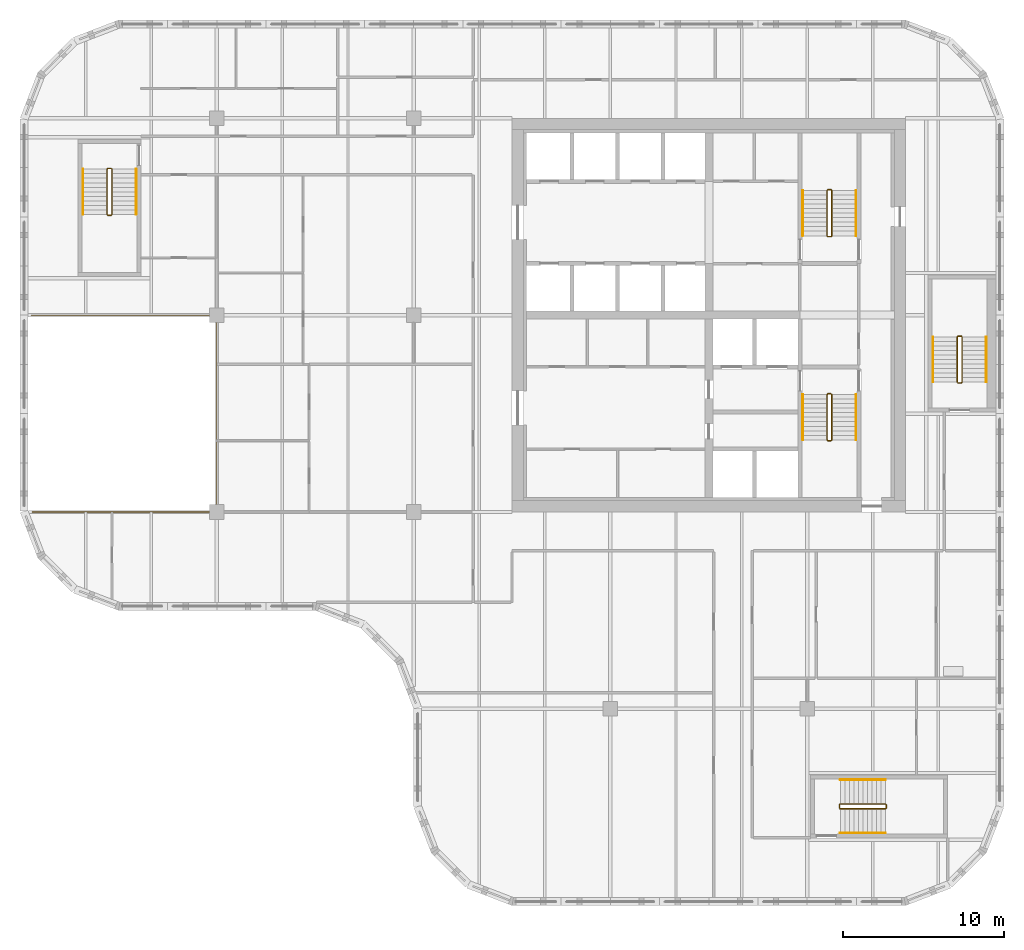
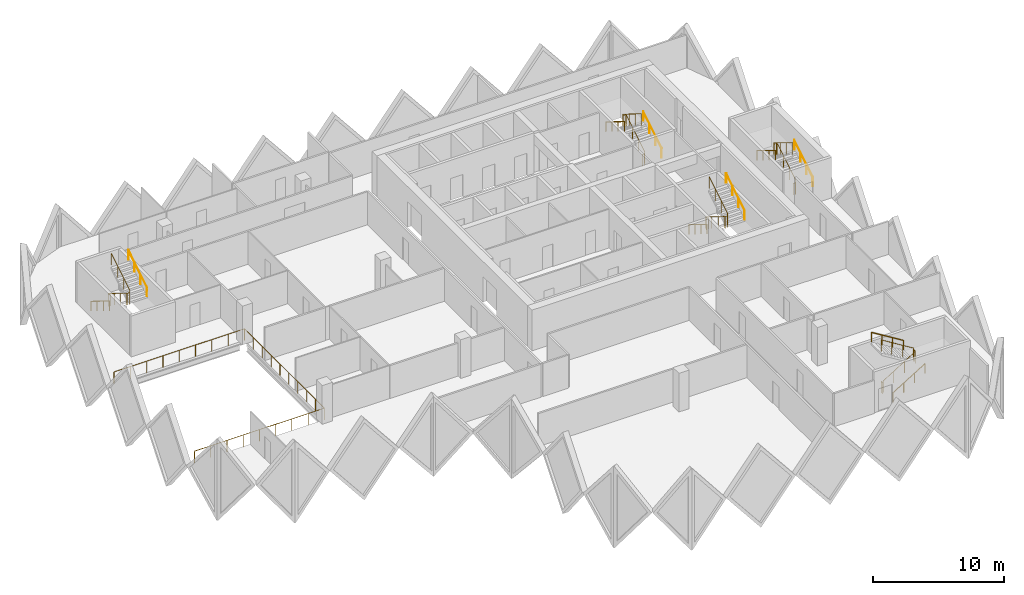
# One storey, part 11 of 12: 16 railings.
"""IFC4 building model written with IfcOpenShell, lengths in metres."""

from ifc_helpers import new_model, si_unit, direction, frame, origin, origin_2d, place, context, subcontext, project, spatial, circle, extrude, material, type_object, element, save


model = new_model("IFC4")

# Units and contexts
model_context = context("Model", 3, precision=1e-05, world=origin(), true_north=direction((0.0, 1.0)))
body_context = subcontext(model_context, "Body", "Model", "MODEL_VIEW")
ifc_project = project(units=[si_unit("LENGTHUNIT", "METRE"), si_unit("AREAUNIT", "SQUARE_METRE"), si_unit("VOLUMEUNIT", "CUBIC_METRE"), si_unit("PLANEANGLEUNIT", "RADIAN"), si_unit("MASSUNIT", "GRAM", prefix="KILO")], contexts=[model_context])

# Site, building, storey
site_placement = place(None, origin())
site = spatial("IfcSite", under=ifc_project, at=site_placement, CompositionType="ELEMENT")
building_placement = place(site_placement, origin())
building = spatial("IfcBuilding", under=site, at=building_placement, Name="Tessera Gate Towers", CompositionType="ELEMENT")
storey_placement = place(building_placement, frame((0.0, 0.0, 127.800048828125)))
storey = spatial("IfcBuildingStorey", under=building, at=storey_placement, Name="L31", CompositionType="ELEMENT", Elevation=127.800048828125)

# Railings
ifc_material_1 = material(Name="Toughened glass with stainless steel handrail", Category="steel")
railing_type_1 = type_object("IfcRailingType", Name="GUARD 1100 GLASS BALUSTRADE", PredefinedType="GUARDRAIL", material=ifc_material_1)
railing_1_placement = place(storey_placement, frame((0.750244140625, 24.39990234375, 0.0)))
element("IfcRailing", 1, at=railing_1_placement, inside=storey, type_object=railing_type_1, Name="Guard", PredefinedType="GUARDRAIL", context=body_context, shape_type="SweptSolid", body=[
    extrude(circle(Radius=0.02490234375, at=origin_2d()), frame((0.0, 0.0, 1.0751953125), z_axis=(1.0, 0.0, 0.0), x_axis=(0.0, 1.0, 0.0)), (0.0, 0.0, 1.0), 11.44970703125),
    extrude(circle(Radius=0.02490234375, at=origin_2d()), frame((11.44970703125, 0.0, 1.0751953125), z_axis=(0.0, 1.0, 0.0), x_axis=(-1.0, 0.0, 0.0)), (0.0, 0.0, 1.0), 12.2001953125),
    extrude(circle(Radius=0.02490234375, at=origin_2d()), frame((11.44970703125, 12.2001953125, 1.0751953125), z_axis=(-1.0, 0.0, 0.0), x_axis=(0.0, -1.0, 0.0)), (0.0, 0.0, 1.0), 11.5),
    extrude(circle(Radius=0.02490234375, at=origin_2d()), origin(), (0.0, 0.0, 1.0), 1.050048828125),
    extrude(circle(Radius=0.02490234375, at=origin_2d()), frame((1.43115234375, 0.0, 0.0)), (0.0, 0.0, 1.0), 1.050048828125),
    extrude(circle(Radius=0.02490234375, at=origin_2d()), frame((2.8623046875, 0.0, 0.0)), (0.0, 0.0, 1.0), 1.050048828125),
    extrude(circle(Radius=0.02490234375, at=origin_2d()), frame((4.293701171875, 0.0, 0.0)), (0.0, 0.0, 1.0), 1.050048828125),
    extrude(circle(Radius=0.02490234375, at=origin_2d()), frame((5.724853515625, 0.0, 0.0)), (0.0, 0.0, 1.0), 1.050048828125),
    extrude(circle(Radius=0.02490234375, at=origin_2d()), frame((7.156005859375, 0.0, 0.0)), (0.0, 0.0, 1.0), 1.050048828125),
    extrude(circle(Radius=0.02490234375, at=origin_2d()), frame((8.58740234375, 0.0, 0.0)), (0.0, 0.0, 1.0), 1.050048828125),
    extrude(circle(Radius=0.02490234375, at=origin_2d()), frame((10.0185546875, 0.0, 0.0)), (0.0, 0.0, 1.0), 1.050048828125),
    extrude(circle(Radius=0.02490234375, at=origin_2d()), frame((11.44970703125, 0.0, 0.0)), (0.0, 0.0, 1.0), 1.050048828125),
    extrude(circle(Radius=0.02490234375, at=origin_2d()), frame((11.44970703125, 1.35546875, 0.0)), (0.0, 0.0, 1.0), 1.050048828125),
    extrude(circle(Radius=0.02490234375, at=origin_2d()), frame((11.44970703125, 2.711181640625, 0.0)), (0.0, 0.0, 1.0), 1.050048828125),
    extrude(circle(Radius=0.02490234375, at=origin_2d()), frame((11.44970703125, 4.066650390625, 0.0)), (0.0, 0.0, 1.0), 1.050048828125),
    extrude(circle(Radius=0.02490234375, at=origin_2d()), frame((11.44970703125, 5.42236328125, 0.0)), (0.0, 0.0, 1.0), 1.050048828125),
    extrude(circle(Radius=0.02490234375, at=origin_2d()), frame((11.44970703125, 6.77783203125, 0.0)), (0.0, 0.0, 1.0), 1.050048828125),
    extrude(circle(Radius=0.02490234375, at=origin_2d()), frame((11.44970703125, 8.133544921875, 0.0)), (0.0, 0.0, 1.0), 1.050048828125),
    extrude(circle(Radius=0.02490234375, at=origin_2d()), frame((11.44970703125, 9.489013671875, 0.0)), (0.0, 0.0, 1.0), 1.050048828125),
    extrude(circle(Radius=0.02490234375, at=origin_2d()), frame((11.44970703125, 10.8447265625, 0.0)), (0.0, 0.0, 1.0), 1.050048828125),
    extrude(circle(Radius=0.02490234375, at=origin_2d()), frame((11.44970703125, 12.2001953125, 0.0)), (0.0, 0.0, 1.0), 1.050048828125),
    extrude(circle(Radius=0.02490234375, at=origin_2d()), frame((10.01220703125, 12.2001953125, 0.0)), (0.0, 0.0, 1.0), 1.050048828125),
    extrude(circle(Radius=0.02490234375, at=origin_2d()), frame((8.57470703125, 12.2001953125, 0.0)), (0.0, 0.0, 1.0), 1.050048828125),
    extrude(circle(Radius=0.02490234375, at=origin_2d()), frame((7.13720703125, 12.2001953125, 0.0)), (0.0, 0.0, 1.0), 1.050048828125),
    extrude(circle(Radius=0.02490234375, at=origin_2d()), frame((5.69970703125, 12.2001953125, 0.0)), (0.0, 0.0, 1.0), 1.050048828125),
    extrude(circle(Radius=0.02490234375, at=origin_2d()), frame((4.26220703125, 12.2001953125, 0.0)), (0.0, 0.0, 1.0), 1.050048828125),
    extrude(circle(Radius=0.02490234375, at=origin_2d()), frame((2.82470703125, 12.2001953125, 0.0)), (0.0, 0.0, 1.0), 1.050048828125),
    extrude(circle(Radius=0.02490234375, at=origin_2d()), frame((1.38720703125, 12.2001953125, 0.0)), (0.0, 0.0, 1.0), 1.050048828125),
    extrude(circle(Radius=0.02490234375, at=origin_2d()), frame((-0.05029296875, 12.2001953125, 0.0)), (0.0, 0.0, 1.0), 1.050048828125),
])
ifc_material_2 = material(Name="Steel 350W", Category="steel")
railing_type_2 = type_object("IfcRailingType", Name="STAIR GUARD 1100", PredefinedType="GUARDRAIL", material=ifc_material_2)
railing_2_placement = place(storey_placement, frame((50.27490234375, 31.72509765625, 0.0)))
element("IfcRailing", 2, at=railing_2_placement, inside=storey, type_object=railing_type_2, Name="L31 ST1 stair guard 1", PredefinedType="GUARDRAIL", context=body_context, shape_type="SweptSolid", body=[
    extrude(circle(Radius=0.02392578125, at=origin_2d()), frame((0.0, 0.0, 1.076171875), z_axis=(-1.0, 0.0, 0.0), x_axis=(0.0, -1.0, 0.0)), (0.0, 0.0, 1.0), 0.199951171875),
    extrude(circle(Radius=0.02392578125, at=origin_2d()), frame((-0.199951171875, 0.0, 1.076171875), z_axis=(-0.268277960024, -0.268277960024, 0.925231793839), x_axis=(0.707106781187, -0.707106781187, 0.0)), (0.0, 0.0, 1.0), 0.1865234375),
    extrude(circle(Radius=0.02392578125, at=origin_2d()), frame((-0.25, -0.050048828125, 1.24853515625), z_axis=(0.0, -0.851089632645, 0.525020415988), x_axis=(1.0, 0.0, 0.0)), (0.0, 0.0, 1.0), 3.2900390625),
    extrude(circle(Radius=0.02392578125, at=origin_2d()), frame((-0.25, -2.85009765625, 2.97607421875), z_axis=(0.707106781187, -0.707106781187, 0.0), x_axis=(0.707106781187, 0.707106781187, 0.0)), (0.0, 0.0, 1.0), 0.07080078125),
    extrude(circle(Radius=0.02392578125, at=origin_2d()), frame((-0.199951171875, -2.900146484375, 2.97607421875), z_axis=(1.0, 0.0, 0.0), x_axis=(0.0, 1.0, 0.0)), (0.0, 0.0, 1.0), 0.199951171875),
    extrude(circle(Radius=0.02392578125, at=origin_2d()), frame((0.0, -2.900146484375, 2.97607421875), z_axis=(0.267953482034, 0.267953482034, 0.925419830635), x_axis=(-0.707106781187, 0.707106781187, 0.0)), (0.0, 0.0, 1.0), 0.186767578125),
    extrude(circle(Radius=0.02392578125, at=origin_2d()), frame((0.050048828125, -2.85009765625, 3.14892578125), z_axis=(0.0, 0.851089632645, 0.525020415988), x_axis=(-1.0, 0.0, 0.0)), (0.0, 0.0, 1.0), 3.2900390625),
    extrude(circle(Radius=0.02099609375, at=origin_2d()), origin(), (0.0, 0.0, 1.0), 1.052001953125),
    extrude(circle(Radius=0.02099609375, at=origin_2d()), frame((-0.199951171875, 0.0, 0.0)), (0.0, 0.0, 1.0), 1.052001953125),
    extrude(circle(Radius=0.02099609375, at=origin_2d()), frame((-0.25, -0.050048828125, 0.172607421875)), (0.0, 0.0, 1.0), 1.052001953125),
    extrude(circle(Radius=0.02099609375, at=origin_2d()), frame((-0.25, -0.9833984375, 0.748291015625)), (0.0, 0.0, 1.0), 1.052001953125),
    extrude(circle(Radius=0.02099609375, at=origin_2d()), frame((-0.25, -1.916748046875, 1.32421875)), (0.0, 0.0, 1.0), 1.052001953125),
    extrude(circle(Radius=0.02099609375, at=origin_2d()), frame((-0.25, -2.85009765625, 1.89990234375)), (0.0, 0.0, 1.0), 1.052001953125),
    extrude(circle(Radius=0.02099609375, at=origin_2d()), frame((-0.199951171875, -2.900146484375, 1.89990234375)), (0.0, 0.0, 1.0), 1.052001953125),
    extrude(circle(Radius=0.02099609375, at=origin_2d()), frame((0.0, -2.900146484375, 1.89990234375)), (0.0, 0.0, 1.0), 1.052001953125),
    extrude(circle(Radius=0.02099609375, at=origin_2d()), frame((0.050048828125, -2.85009765625, 2.07275390625)), (0.0, 0.0, 1.0), 1.052001953125),
    extrude(circle(Radius=0.02099609375, at=origin_2d()), frame((0.050048828125, -1.916748046875, 2.6484375)), (0.0, 0.0, 1.0), 1.052001953125),
    extrude(circle(Radius=0.02099609375, at=origin_2d()), frame((0.050048828125, -0.9833984375, 3.224365234375)), (0.0, 0.0, 1.0), 1.052001953125),
    extrude(circle(Radius=0.02099609375, at=origin_2d()), frame((0.050048828125, -0.050048828125, 3.800048828125)), (0.0, 0.0, 1.0), 1.052001953125),
])
railing_3_placement = place(storey_placement, frame((50.074951171875, 41.47509765625, 0.0)))
element("IfcRailing", 3, at=railing_3_placement, inside=storey, type_object=railing_type_2, Name="L31 ST2 stair guard 1", PredefinedType="GUARDRAIL", context=body_context, shape_type="SweptSolid", body=[
    extrude(circle(Radius=0.02392578125, at=origin_2d()), frame((0.0, 0.0, 1.076171875), z_axis=(1.0, 0.0, 0.0), x_axis=(0.0, 1.0, 0.0)), (0.0, 0.0, 1.0), 0.199951171875),
    extrude(circle(Radius=0.02392578125, at=origin_2d()), frame((0.199951171875, 0.0, 1.076171875), z_axis=(0.268371968888, 0.267062837333, 0.925556009775), x_axis=(-0.705375805398, 0.708833529934, 0.0)), (0.0, 0.0, 1.0), 0.1865234375),
    extrude(circle(Radius=0.02392578125, at=origin_2d()), frame((0.25, 0.0498046875, 1.24853515625), z_axis=(0.0, 0.851089632645, 0.525020415988), x_axis=(-1.0, 0.0, 0.0)), (0.0, 0.0, 1.0), 3.2900390625),
    extrude(circle(Radius=0.02392578125, at=origin_2d()), frame((0.25, 2.849853515625, 2.97607421875), z_axis=(-0.707106781187, 0.707106781187, 0.0), x_axis=(-0.707106781187, -0.707106781187, 0.0)), (0.0, 0.0, 1.0), 0.07080078125),
    extrude(circle(Radius=0.02392578125, at=origin_2d()), frame((0.199951171875, 2.89990234375, 2.97607421875), z_axis=(-1.0, 0.0, 0.0), x_axis=(0.0, -1.0, 0.0)), (0.0, 0.0, 1.0), 0.199951171875),
    extrude(circle(Radius=0.02392578125, at=origin_2d()), frame((0.0, 2.89990234375, 2.97607421875), z_axis=(-0.267953482034, -0.267953482034, 0.925419830635), x_axis=(0.707106781187, -0.707106781187, 0.0)), (0.0, 0.0, 1.0), 0.186767578125),
    extrude(circle(Radius=0.02392578125, at=origin_2d()), frame((-0.050048828125, 2.849853515625, 3.14892578125), z_axis=(0.0, -0.851089632645, 0.525020415988), x_axis=(1.0, 0.0, 0.0)), (0.0, 0.0, 1.0), 3.2900390625),
    extrude(circle(Radius=0.02099609375, at=origin_2d()), origin(), (0.0, 0.0, 1.0), 1.052001953125),
    extrude(circle(Radius=0.02099609375, at=origin_2d()), frame((0.199951171875, 0.0, 0.0)), (0.0, 0.0, 1.0), 1.052001953125),
    extrude(circle(Radius=0.02099609375, at=origin_2d()), frame((0.25, 0.0498046875, 0.172607421875)), (0.0, 0.0, 1.0), 1.052001953125),
    extrude(circle(Radius=0.02099609375, at=origin_2d()), frame((0.25, 0.983154296875, 0.748291015625)), (0.0, 0.0, 1.0), 1.052001953125),
    extrude(circle(Radius=0.02099609375, at=origin_2d()), frame((0.25, 1.91650390625, 1.32421875)), (0.0, 0.0, 1.0), 1.052001953125),
    extrude(circle(Radius=0.02099609375, at=origin_2d()), frame((0.25, 2.849853515625, 1.89990234375)), (0.0, 0.0, 1.0), 1.052001953125),
    extrude(circle(Radius=0.02099609375, at=origin_2d()), frame((0.199951171875, 2.89990234375, 1.89990234375)), (0.0, 0.0, 1.0), 1.052001953125),
    extrude(circle(Radius=0.02099609375, at=origin_2d()), frame((0.0, 2.89990234375, 1.89990234375)), (0.0, 0.0, 1.0), 1.052001953125),
    extrude(circle(Radius=0.02099609375, at=origin_2d()), frame((-0.050048828125, 2.849853515625, 2.07275390625)), (0.0, 0.0, 1.0), 1.052001953125),
    extrude(circle(Radius=0.02099609375, at=origin_2d()), frame((-0.050048828125, 1.91650390625, 2.6484375)), (0.0, 0.0, 1.0), 1.052001953125),
    extrude(circle(Radius=0.02099609375, at=origin_2d()), frame((-0.050048828125, 0.983154296875, 3.224365234375)), (0.0, 0.0, 1.0), 1.052001953125),
    extrude(circle(Radius=0.02099609375, at=origin_2d()), frame((-0.050048828125, 0.0498046875, 3.800048828125)), (0.0, 0.0, 1.0), 1.052001953125),
])
railing_4_placement = place(storey_placement, frame((5.64990234375, 45.699951171875, 0.0)))
element("IfcRailing", 4, at=railing_4_placement, inside=storey, type_object=railing_type_2, Name="L31 ST3 stair guard 1", PredefinedType="GUARDRAIL", context=body_context, shape_type="SweptSolid", body=[
    extrude(circle(Radius=0.02392578125, at=origin_2d()), frame((0.0, 0.0, 1.076171875), z_axis=(-1.0, 0.0, 0.0), x_axis=(0.0, -1.0, 0.0)), (0.0, 0.0, 1.0), 0.199951171875),
    extrude(circle(Radius=0.02392578125, at=origin_2d()), frame((-0.199951171875, 0.0, 1.076171875), z_axis=(-0.268277960024, -0.268277960024, 0.925231793839), x_axis=(0.707106781187, -0.707106781187, 0.0)), (0.0, 0.0, 1.0), 0.1865234375),
    extrude(circle(Radius=0.02392578125, at=origin_2d()), frame((-0.25, -0.050048828125, 1.24853515625), z_axis=(0.0, -0.851069175582, 0.525053576669), x_axis=(1.0, 0.0, 0.0)), (0.0, 0.0, 1.0), 3.289794921875),
    extrude(circle(Radius=0.02392578125, at=origin_2d()), frame((-0.25, -2.849853515625, 2.97607421875), z_axis=(0.707106781187, -0.707106781187, 0.0), x_axis=(0.707106781187, 0.707106781187, 0.0)), (0.0, 0.0, 1.0), 0.07080078125),
    extrude(circle(Radius=0.02392578125, at=origin_2d()), frame((-0.199951171875, -2.89990234375, 2.97607421875), z_axis=(1.0, 0.0, 0.0), x_axis=(0.0, 1.0, 0.0)), (0.0, 0.0, 1.0), 0.199951171875),
    extrude(circle(Radius=0.02392578125, at=origin_2d()), frame((0.0, -2.89990234375, 2.97607421875), z_axis=(0.267953482034, 0.267953482034, 0.925419830635), x_axis=(-0.707106781187, 0.707106781187, 0.0)), (0.0, 0.0, 1.0), 0.186767578125),
    extrude(circle(Radius=0.02392578125, at=origin_2d()), frame((0.050048828125, -2.849853515625, 3.14892578125), z_axis=(0.0, 0.851069175582, 0.525053576669), x_axis=(-1.0, 0.0, 0.0)), (0.0, 0.0, 1.0), 3.289794921875),
    extrude(circle(Radius=0.02099609375, at=origin_2d()), origin(), (0.0, 0.0, 1.0), 1.052001953125),
    extrude(circle(Radius=0.02099609375, at=origin_2d()), frame((-0.199951171875, 0.0, 0.0)), (0.0, 0.0, 1.0), 1.052001953125),
    extrude(circle(Radius=0.02099609375, at=origin_2d()), frame((-0.25, -0.050048828125, 0.172607421875)), (0.0, 0.0, 1.0), 1.052001953125),
    extrude(circle(Radius=0.02099609375, at=origin_2d()), frame((-0.25, -0.9833984375, 0.748291015625)), (0.0, 0.0, 1.0), 1.052001953125),
    extrude(circle(Radius=0.02099609375, at=origin_2d()), frame((-0.25, -1.91650390625, 1.32421875)), (0.0, 0.0, 1.0), 1.052001953125),
    extrude(circle(Radius=0.02099609375, at=origin_2d()), frame((-0.25, -2.849853515625, 1.89990234375)), (0.0, 0.0, 1.0), 1.052001953125),
    extrude(circle(Radius=0.02099609375, at=origin_2d()), frame((-0.199951171875, -2.89990234375, 1.89990234375)), (0.0, 0.0, 1.0), 1.052001953125),
    extrude(circle(Radius=0.02099609375, at=origin_2d()), frame((0.0, -2.89990234375, 1.89990234375)), (0.0, 0.0, 1.0), 1.052001953125),
    extrude(circle(Radius=0.02099609375, at=origin_2d()), frame((0.050048828125, -2.849853515625, 2.07275390625)), (0.0, 0.0, 1.0), 1.052001953125),
    extrude(circle(Radius=0.02099609375, at=origin_2d()), frame((0.050048828125, -1.91650390625, 2.6484375)), (0.0, 0.0, 1.0), 1.052001953125),
    extrude(circle(Radius=0.02099609375, at=origin_2d()), frame((0.050048828125, -0.9833984375, 3.224365234375)), (0.0, 0.0, 1.0), 1.052001953125),
    extrude(circle(Radius=0.02099609375, at=origin_2d()), frame((0.050048828125, -0.050048828125, 3.800048828125)), (0.0, 0.0, 1.0), 1.052001953125),
])
railing_5_placement = place(storey_placement, frame((50.800048828125, 6.25, 0.0)))
element("IfcRailing", 5, at=railing_5_placement, inside=storey, type_object=railing_type_2, Name="L31 ST4 stair guard 1", PredefinedType="GUARDRAIL", context=body_context, shape_type="SweptSolid", body=[
    extrude(circle(Radius=0.02392578125, at=origin_2d()), frame((0.0, 0.0, 1.076171875), z_axis=(0.0, -1.0, 0.0), x_axis=(1.0, 0.0, 0.0)), (0.0, 0.0, 1.0), 0.199951171875),
    extrude(circle(Radius=0.02392578125, at=origin_2d()), frame((0.0, -0.199951171875, 1.076171875), z_axis=(0.268277960024, -0.268277960024, 0.925231793839), x_axis=(0.707106781187, 0.707106781187, 0.0)), (0.0, 0.0, 1.0), 0.1865234375),
    extrude(circle(Radius=0.02392578125, at=origin_2d()), frame((0.050048828125, -0.25, 1.24853515625), z_axis=(0.851069175582, 0.0, 0.525053576669), x_axis=(0.0, 1.0, 0.0)), (0.0, 0.0, 1.0), 3.289794921875),
    extrude(circle(Radius=0.02392578125, at=origin_2d()), frame((2.849853515625, -0.25, 2.97607421875), z_axis=(0.707106781187, 0.707106781187, 0.0), x_axis=(-0.707106781187, 0.707106781187, 0.0)), (0.0, 0.0, 1.0), 0.07080078125),
    extrude(circle(Radius=0.02392578125, at=origin_2d()), frame((2.89990234375, -0.199951171875, 2.97607421875), z_axis=(0.0, 1.0, 0.0), x_axis=(-1.0, 0.0, 0.0)), (0.0, 0.0, 1.0), 0.199951171875),
    extrude(circle(Radius=0.02392578125, at=origin_2d()), frame((2.89990234375, 0.0, 2.97607421875), z_axis=(-0.267953482034, 0.267953482034, 0.925419830635), x_axis=(-0.707106781187, -0.707106781187, 0.0)), (0.0, 0.0, 1.0), 0.186767578125),
    extrude(circle(Radius=0.02392578125, at=origin_2d()), frame((2.849853515625, 0.050048828125, 3.14892578125), z_axis=(-0.851069175582, 0.0, 0.525053576669), x_axis=(0.0, -1.0, 0.0)), (0.0, 0.0, 1.0), 3.289794921875),
    extrude(circle(Radius=0.02099609375, at=origin_2d()), origin(), (0.0, 0.0, 1.0), 1.052001953125),
    extrude(circle(Radius=0.02099609375, at=origin_2d()), frame((0.0, -0.199951171875, 0.0)), (0.0, 0.0, 1.0), 1.052001953125),
    extrude(circle(Radius=0.02099609375, at=origin_2d()), frame((0.050048828125, -0.25, 0.172607421875)), (0.0, 0.0, 1.0), 1.052001953125),
    extrude(circle(Radius=0.02099609375, at=origin_2d()), frame((0.9833984375, -0.25, 0.748291015625)), (0.0, 0.0, 1.0), 1.052001953125),
    extrude(circle(Radius=0.02099609375, at=origin_2d()), frame((1.91650390625, -0.25, 1.32421875)), (0.0, 0.0, 1.0), 1.052001953125),
    extrude(circle(Radius=0.02099609375, at=origin_2d()), frame((2.849853515625, -0.25, 1.89990234375)), (0.0, 0.0, 1.0), 1.052001953125),
    extrude(circle(Radius=0.02099609375, at=origin_2d()), frame((2.89990234375, -0.199951171875, 1.89990234375)), (0.0, 0.0, 1.0), 1.052001953125),
    extrude(circle(Radius=0.02099609375, at=origin_2d()), frame((2.89990234375, 0.0, 1.89990234375)), (0.0, 0.0, 1.0), 1.052001953125),
    extrude(circle(Radius=0.02099609375, at=origin_2d()), frame((2.849853515625, 0.050048828125, 2.07275390625)), (0.0, 0.0, 1.0), 1.052001953125),
    extrude(circle(Radius=0.02099609375, at=origin_2d()), frame((1.91650390625, 0.050048828125, 2.6484375)), (0.0, 0.0, 1.0), 1.052001953125),
    extrude(circle(Radius=0.02099609375, at=origin_2d()), frame((0.9833984375, 0.050048828125, 3.224365234375)), (0.0, 0.0, 1.0), 1.052001953125),
    extrude(circle(Radius=0.02099609375, at=origin_2d()), frame((0.050048828125, 0.050048828125, 3.800048828125)), (0.0, 0.0, 1.0), 1.052001953125),
])
railing_6_placement = place(storey_placement, frame((58.14990234375, 32.39990234375, 0.0)))
element("IfcRailing", 6, at=railing_6_placement, inside=storey, type_object=railing_type_2, Name="L31 ST5 stair guard 1", PredefinedType="GUARDRAIL", context=body_context, shape_type="SweptSolid", body=[
    extrude(circle(Radius=0.02392578125, at=origin_2d()), frame((0.0, 0.0, 1.076171875), z_axis=(1.0, 0.0, 0.0), x_axis=(0.0, 1.0, 0.0)), (0.0, 0.0, 1.0), 0.2001953125),
    extrude(circle(Radius=0.02392578125, at=origin_2d()), frame((0.2001953125, 0.0, 1.076171875), z_axis=(0.267062837333, 0.268371968888, 0.925556009775), x_axis=(-0.708833529934, 0.705375805398, 0.0)), (0.0, 0.0, 1.0), 0.1865234375),
    extrude(circle(Radius=0.02392578125, at=origin_2d()), frame((0.25, 0.050048828125, 1.24853515625), z_axis=(0.0, 0.851089632645, 0.525020415988), x_axis=(-1.0, 0.0, 0.0)), (0.0, 0.0, 1.0), 3.2900390625),
    extrude(circle(Radius=0.02392578125, at=origin_2d()), frame((0.25, 2.85009765625, 2.97607421875), z_axis=(-0.705375805398, 0.708833529934, 0.0), x_axis=(-0.708833529934, -0.705375805398, 0.0)), (0.0, 0.0, 1.0), 0.070556640625),
    extrude(circle(Radius=0.02392578125, at=origin_2d()), frame((0.2001953125, 2.900146484375, 2.97607421875), z_axis=(-1.0, 0.0, 0.0), x_axis=(0.0, -1.0, 0.0)), (0.0, 0.0, 1.0), 0.2001953125),
    extrude(circle(Radius=0.02392578125, at=origin_2d()), frame((0.0, 2.900146484375, 2.97607421875), z_axis=(-0.266739603011, -0.268047150085, 0.925743328097), x_axis=(0.708833529934, -0.705375805398, 0.0)), (0.0, 0.0, 1.0), 0.186767578125),
    extrude(circle(Radius=0.02392578125, at=origin_2d()), frame((-0.0498046875, 2.85009765625, 3.14892578125), z_axis=(0.0, -0.851089632645, 0.525020415988), x_axis=(1.0, 0.0, 0.0)), (0.0, 0.0, 1.0), 3.2900390625),
    extrude(circle(Radius=0.02099609375, at=origin_2d()), origin(), (0.0, 0.0, 1.0), 1.052001953125),
    extrude(circle(Radius=0.02099609375, at=origin_2d()), frame((0.2001953125, 0.0, 0.0)), (0.0, 0.0, 1.0), 1.052001953125),
    extrude(circle(Radius=0.02099609375, at=origin_2d()), frame((0.25, 0.050048828125, 0.172607421875)), (0.0, 0.0, 1.0), 1.052001953125),
    extrude(circle(Radius=0.02099609375, at=origin_2d()), frame((0.25, 0.9833984375, 0.748291015625)), (0.0, 0.0, 1.0), 1.052001953125),
    extrude(circle(Radius=0.02099609375, at=origin_2d()), frame((0.25, 1.916748046875, 1.32421875)), (0.0, 0.0, 1.0), 1.052001953125),
    extrude(circle(Radius=0.02099609375, at=origin_2d()), frame((0.25, 2.85009765625, 1.89990234375)), (0.0, 0.0, 1.0), 1.052001953125),
    extrude(circle(Radius=0.02099609375, at=origin_2d()), frame((0.2001953125, 2.900146484375, 1.89990234375)), (0.0, 0.0, 1.0), 1.052001953125),
    extrude(circle(Radius=0.02099609375, at=origin_2d()), frame((0.0, 2.900146484375, 1.89990234375)), (0.0, 0.0, 1.0), 1.052001953125),
    extrude(circle(Radius=0.02099609375, at=origin_2d()), frame((-0.0498046875, 2.85009765625, 2.07275390625)), (0.0, 0.0, 1.0), 1.052001953125),
    extrude(circle(Radius=0.02099609375, at=origin_2d()), frame((-0.0498046875, 1.916748046875, 2.6484375)), (0.0, 0.0, 1.0), 1.052001953125),
    extrude(circle(Radius=0.02099609375, at=origin_2d()), frame((-0.0498046875, 0.9833984375, 3.224365234375)), (0.0, 0.0, 1.0), 1.052001953125),
    extrude(circle(Radius=0.02099609375, at=origin_2d()), frame((-0.0498046875, 0.050048828125, 3.800048828125)), (0.0, 0.0, 1.0), 1.052001953125),
])
ifc_material_3 = material(Name="Steel 350W", Category="steel")
railing_type_3 = type_object("IfcRailingType", Name="STAIR HANDRAIL 900", PredefinedType="HANDRAIL", material=ifc_material_3)
railing_7_placement = place(storey_placement, frame((48.52490234375, 31.675048828125, 0.172607421875)))
element("IfcRailing", 7, at=railing_7_placement, inside=storey, type_object=railing_type_3, Name="L31 ST1 stair handrail 1", PredefinedType="HANDRAIL", context=body_context, shape_type="SweptSolid", body=[
    extrude(circle(Radius=0.02392578125, at=origin_2d()), frame((0.0, 0.0, 0.8759765625), z_axis=(0.0, -0.851089632645, 0.525020415988), x_axis=(1.0, 0.0, 0.0)), (0.0, 0.0, 1.0), 3.2900390625),
    extrude(circle(Radius=0.02099609375, at=origin_2d()), origin(), (0.0, 0.0, 1.0), 0.851806640625),
    extrude(circle(Radius=0.02099609375, at=origin_2d()), frame((0.0, -0.933349609375, 0.57568359375)), (0.0, 0.0, 1.0), 0.851806640625),
    extrude(circle(Radius=0.02099609375, at=origin_2d()), frame((0.0, -1.86669921875, 1.151611328125)), (0.0, 0.0, 1.0), 0.851806640625),
    extrude(circle(Radius=0.02099609375, at=origin_2d()), frame((0.0, -2.800048828125, 1.727294921875)), (0.0, 0.0, 1.0), 0.851806640625),
])
for number, where, name in (
    (8, (51.824951171875, 28.875, 2.07275390625), "L31 ST1 stair handrail 2"),
    (9, (51.824951171875, 41.52490234375, 0.172607421875), "L31 ST2 stair handrail 1"),
):
    element("IfcRailing", number, at=place(storey_placement, frame(where)), inside=storey, type_object=railing_type_3, Name=name, PredefinedType="HANDRAIL", context=body_context, shape_type="SweptSolid", body=[
        extrude(circle(Radius=0.02392578125, at=origin_2d()), frame((0.0, 0.0, 0.8759765625), z_axis=(0.0, 0.851089632645, 0.525020415988), x_axis=(-1.0, 0.0, 0.0)), (0.0, 0.0, 1.0), 3.2900390625),
        extrude(circle(Radius=0.02099609375, at=origin_2d()), origin(), (0.0, 0.0, 1.0), 0.851806640625),
        extrude(circle(Radius=0.02099609375, at=origin_2d()), frame((0.0, 0.933349609375, 0.57568359375)), (0.0, 0.0, 1.0), 0.851806640625),
        extrude(circle(Radius=0.02099609375, at=origin_2d()), frame((0.0, 1.86669921875, 1.151611328125)), (0.0, 0.0, 1.0), 0.851806640625),
        extrude(circle(Radius=0.02099609375, at=origin_2d()), frame((0.0, 2.800048828125, 1.727294921875)), (0.0, 0.0, 1.0), 0.851806640625),
    ])
railing_8_placement = place(storey_placement, frame((48.52490234375, 44.324951171875, 2.07275390625)))
element("IfcRailing", 10, at=railing_8_placement, inside=storey, type_object=railing_type_3, Name="L31 ST2 stair handrail 2", PredefinedType="HANDRAIL", context=body_context, shape_type="SweptSolid", body=[
    extrude(circle(Radius=0.02392578125, at=origin_2d()), frame((0.0, 0.0, 0.8759765625), z_axis=(0.0, -0.851089632645, 0.525020415988), x_axis=(1.0, 0.0, 0.0)), (0.0, 0.0, 1.0), 3.2900390625),
    extrude(circle(Radius=0.02099609375, at=origin_2d()), origin(), (0.0, 0.0, 1.0), 0.851806640625),
    extrude(circle(Radius=0.02099609375, at=origin_2d()), frame((0.0, -0.933349609375, 0.57568359375)), (0.0, 0.0, 1.0), 0.851806640625),
    extrude(circle(Radius=0.02099609375, at=origin_2d()), frame((0.0, -1.86669921875, 1.151611328125)), (0.0, 0.0, 1.0), 0.851806640625),
    extrude(circle(Radius=0.02099609375, at=origin_2d()), frame((0.0, -2.800048828125, 1.727294921875)), (0.0, 0.0, 1.0), 0.851806640625),
])
railing_9_placement = place(storey_placement, frame((3.89990234375, 45.64990234375, 0.172607421875)))
element("IfcRailing", 11, at=railing_9_placement, inside=storey, type_object=railing_type_3, Name="L31 ST3 stair handrail 1", PredefinedType="HANDRAIL", context=body_context, shape_type="SweptSolid", body=[
    extrude(circle(Radius=0.02392578125, at=origin_2d()), frame((0.0, 0.0, 0.8759765625), z_axis=(0.0, -0.851069175582, 0.525053576669), x_axis=(1.0, 0.0, 0.0)), (0.0, 0.0, 1.0), 3.289794921875),
    extrude(circle(Radius=0.02099609375, at=origin_2d()), origin(), (0.0, 0.0, 1.0), 0.851806640625),
    extrude(circle(Radius=0.02099609375, at=origin_2d()), frame((0.0, -0.933349609375, 0.57568359375)), (0.0, 0.0, 1.0), 0.851806640625),
    extrude(circle(Radius=0.02099609375, at=origin_2d()), frame((0.0, -1.866455078125, 1.151611328125)), (0.0, 0.0, 1.0), 0.851806640625),
    extrude(circle(Radius=0.02099609375, at=origin_2d()), frame((0.0, -2.7998046875, 1.727294921875)), (0.0, 0.0, 1.0), 0.851806640625),
])
railing_10_placement = place(storey_placement, frame((7.199951171875, 42.85009765625, 2.07275390625)))
element("IfcRailing", 12, at=railing_10_placement, inside=storey, type_object=railing_type_3, Name="L31 ST3 stair handrail 2", PredefinedType="HANDRAIL", context=body_context, shape_type="SweptSolid", body=[
    extrude(circle(Radius=0.02392578125, at=origin_2d()), frame((0.0, 0.0, 0.8759765625), z_axis=(0.0, 0.851069175582, 0.525053576669), x_axis=(-1.0, 0.0, 0.0)), (0.0, 0.0, 1.0), 3.289794921875),
    extrude(circle(Radius=0.02099609375, at=origin_2d()), origin(), (0.0, 0.0, 1.0), 0.851806640625),
    extrude(circle(Radius=0.02099609375, at=origin_2d()), frame((0.0, 0.933349609375, 0.57568359375)), (0.0, 0.0, 1.0), 0.851806640625),
    extrude(circle(Radius=0.02099609375, at=origin_2d()), frame((0.0, 1.866455078125, 1.151611328125)), (0.0, 0.0, 1.0), 0.851806640625),
    extrude(circle(Radius=0.02099609375, at=origin_2d()), frame((0.0, 2.7998046875, 1.727294921875)), (0.0, 0.0, 1.0), 0.851806640625),
])
railing_11_placement = place(storey_placement, frame((50.85009765625, 4.5, 0.172607421875)))
element("IfcRailing", 13, at=railing_11_placement, inside=storey, type_object=railing_type_3, Name="L31 ST4 stair handrail 1", PredefinedType="HANDRAIL", context=body_context, shape_type="SweptSolid", body=[
    extrude(circle(Radius=0.02392578125, at=origin_2d()), frame((0.0, 0.0, 0.8759765625), z_axis=(0.851069175582, 0.0, 0.525053576669), x_axis=(0.0, 1.0, 0.0)), (0.0, 0.0, 1.0), 3.289794921875),
    extrude(circle(Radius=0.02099609375, at=origin_2d()), origin(), (0.0, 0.0, 1.0), 0.851806640625),
    extrude(circle(Radius=0.02099609375, at=origin_2d()), frame((0.933349609375, 0.0, 0.57568359375)), (0.0, 0.0, 1.0), 0.851806640625),
    extrude(circle(Radius=0.02099609375, at=origin_2d()), frame((1.866455078125, 0.0, 1.151611328125)), (0.0, 0.0, 1.0), 0.851806640625),
    extrude(circle(Radius=0.02099609375, at=origin_2d()), frame((2.7998046875, 0.0, 1.727294921875)), (0.0, 0.0, 1.0), 0.851806640625),
])
railing_12_placement = place(storey_placement, frame((53.64990234375, 7.800048828125, 2.07275390625)))
element("IfcRailing", 14, at=railing_12_placement, inside=storey, type_object=railing_type_3, Name="L31 ST4 stair handrail 2", PredefinedType="HANDRAIL", context=body_context, shape_type="SweptSolid", body=[
    extrude(circle(Radius=0.02392578125, at=origin_2d()), frame((0.0, 0.0, 0.8759765625), z_axis=(-0.851069175582, 0.0, 0.525053576669), x_axis=(0.0, -1.0, 0.0)), (0.0, 0.0, 1.0), 3.289794921875),
    extrude(circle(Radius=0.02099609375, at=origin_2d()), origin(), (0.0, 0.0, 1.0), 0.851806640625),
    extrude(circle(Radius=0.02099609375, at=origin_2d()), frame((-0.933349609375, 0.0, 0.57568359375)), (0.0, 0.0, 1.0), 0.851806640625),
    extrude(circle(Radius=0.02099609375, at=origin_2d()), frame((-1.866455078125, 0.0, 1.151611328125)), (0.0, 0.0, 1.0), 0.851806640625),
    extrude(circle(Radius=0.02099609375, at=origin_2d()), frame((-2.7998046875, 0.0, 1.727294921875)), (0.0, 0.0, 1.0), 0.851806640625),
])
railing_13_placement = place(storey_placement, frame((59.89990234375, 32.449951171875, 0.172607421875)))
element("IfcRailing", 15, at=railing_13_placement, inside=storey, type_object=railing_type_3, Name="L31 ST5 stair handrail 1", PredefinedType="HANDRAIL", context=body_context, shape_type="SweptSolid", body=[
    extrude(circle(Radius=0.02392578125, at=origin_2d()), frame((0.0, 0.0, 0.8759765625), z_axis=(0.0, 0.851089632645, 0.525020415988), x_axis=(-1.0, 0.0, 0.0)), (0.0, 0.0, 1.0), 3.2900390625),
    extrude(circle(Radius=0.02099609375, at=origin_2d()), origin(), (0.0, 0.0, 1.0), 0.851806640625),
    extrude(circle(Radius=0.02099609375, at=origin_2d()), frame((0.0, 0.933349609375, 0.57568359375)), (0.0, 0.0, 1.0), 0.851806640625),
    extrude(circle(Radius=0.02099609375, at=origin_2d()), frame((0.0, 1.86669921875, 1.151611328125)), (0.0, 0.0, 1.0), 0.851806640625),
    extrude(circle(Radius=0.02099609375, at=origin_2d()), frame((0.0, 2.800048828125, 1.727294921875)), (0.0, 0.0, 1.0), 0.851806640625),
])
railing_14_placement = place(storey_placement, frame((56.60009765625, 35.25, 2.07275390625)))
element("IfcRailing", 16, at=railing_14_placement, inside=storey, type_object=railing_type_3, Name="L31 ST5 stair handrail 2", PredefinedType="HANDRAIL", context=body_context, shape_type="SweptSolid", body=[
    extrude(circle(Radius=0.02392578125, at=origin_2d()), frame((0.0, 0.0, 0.8759765625), z_axis=(0.0, -0.851089632645, 0.525020415988), x_axis=(1.0, 0.0, 0.0)), (0.0, 0.0, 1.0), 3.2900390625),
    extrude(circle(Radius=0.02099609375, at=origin_2d()), origin(), (0.0, 0.0, 1.0), 0.851806640625),
    extrude(circle(Radius=0.02099609375, at=origin_2d()), frame((0.0, -0.933349609375, 0.57568359375)), (0.0, 0.0, 1.0), 0.851806640625),
    extrude(circle(Radius=0.02099609375, at=origin_2d()), frame((0.0, -1.86669921875, 1.151611328125)), (0.0, 0.0, 1.0), 0.851806640625),
    extrude(circle(Radius=0.02099609375, at=origin_2d()), frame((0.0, -2.800048828125, 1.727294921875)), (0.0, 0.0, 1.0), 0.851806640625),
])

save(model, "model.ifc")
